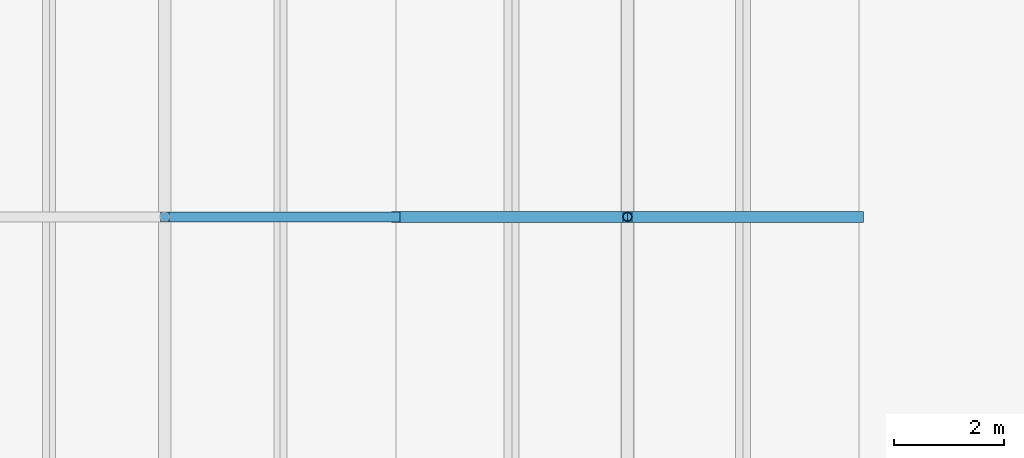
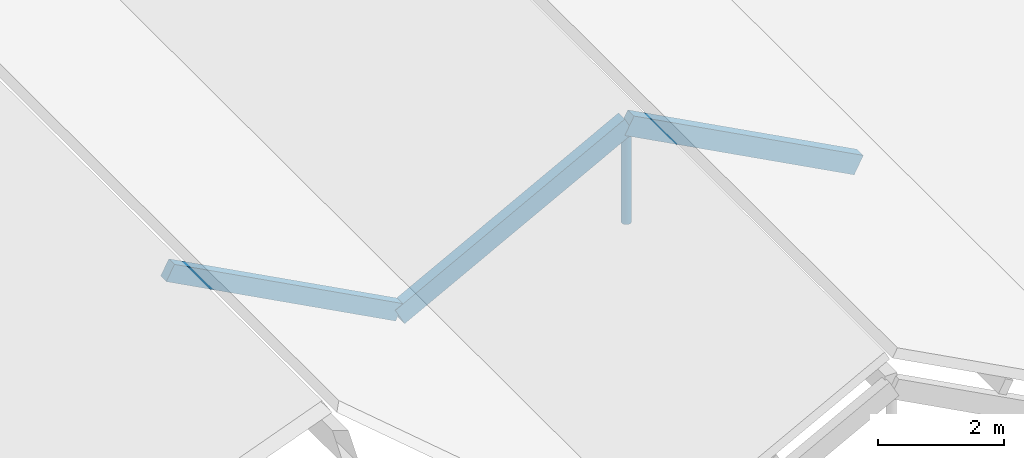
# One storey, part 60 of 82: 4 members.
"""IFC4 building model written with IfcOpenShell, lengths in metres."""

from ifc_helpers import new_model, si_unit, direction, frame, origin, origin_2d, place, context, subcontext, project, spatial, rectangle, hollow_circle, extrude, material, material_profile, profile_set, type_object, element, save


model = new_model("IFC4")

# Units and contexts
model_context = context("Model", 3, precision=1e-05, world=origin(), true_north=direction((0.0, 1.0)))
body_context = subcontext(model_context, "Body", "Model", "MODEL_VIEW")
ifc_project = project(units=[si_unit("LENGTHUNIT", "METRE"), si_unit("AREAUNIT", "SQUARE_METRE"), si_unit("VOLUMEUNIT", "CUBIC_METRE"), si_unit("PLANEANGLEUNIT", "RADIAN"), si_unit("MASSUNIT", "GRAM", prefix="KILO")], contexts=[model_context])

# Site, building, storey
site_placement = place(None, origin())
site = spatial("IfcSite", under=ifc_project, at=site_placement, CompositionType="ELEMENT")
building_placement = place(site_placement, origin())
building = spatial("IfcBuilding", under=site, at=building_placement, Name="Bramfleet General Hospital", CompositionType="ELEMENT")
storey_placement = place(building_placement, frame((0.0, 0.0, 34.199951171875)))
storey = spatial("IfcBuildingStorey", under=building, at=storey_placement, Name="Roof", CompositionType="ELEMENT", Elevation=34.199951171875)

# Members
ifc_material_1 = material(Name="Structural timber GL28h", Category="wood")
ifc_material_profile_1 = material_profile(ifc_material_1, rectangle(XDim=0.179931640625, YDim=0.320068359375, at=origin_2d()), Name="GL28h 320x180")
ifc_profile_set_1 = profile_set([ifc_material_profile_1], Name="Structural timber GL28h")
member_type_1 = type_object("IfcMemberType", Name="MEM-RF-GL320", PredefinedType="RAFTER", material=ifc_profile_set_1)
member_1_placement = place(storey_placement, frame((88.199951171875, 100.800048828125, 1.561279296875), z_axis=(0.882947536541, 0.0, -0.469471668705), x_axis=(0.0, 1.0, 0.0)))
element("IfcMember", 1, at=member_1_placement, inside=storey, type_object=member_type_1, Name="Patient House PH-02 East Glulam Rafter 1", PredefinedType="RAFTER", context=body_context, shape_type="SweptSolid", body=[
    extrude(rectangle(XDim=0.179931640625, YDim=0.320068359375, at=origin_2d()), origin(), (0.0, 0.0, 1.0), 4.7568359375),
])
ifc_material_profile_2 = material_profile(ifc_material_1, rectangle(XDim=0.199951171875, YDim=0.360107421875, at=origin_2d()), Name="GL28h 360x200")
ifc_profile_set_2 = profile_set([ifc_material_profile_2], Name="Structural timber GL28h")
member_type_2 = type_object("IfcMemberType", Name="MEM-RF-GL360", PredefinedType="RAFTER", material=ifc_profile_set_2)
for number, where, z_axis, x_axis, name in (
    (2, (92.39990234375, 100.800048828125, -0.75634765625), (0.882958848035, 0.0, 0.469450394267), (0.0, 1.0, 0.0), "Patient House PH-03 West Glulam Rafter 1"),
    (3, (96.60009765625, 100.800048828125, 1.476806640625), (0.882947536541, 0.0, -0.469471668705), (0.0, 1.0, 0.0), "Patient House PH-03 East Glulam Rafter 1"),
):
    element("IfcMember", number, at=place(storey_placement, frame(where, z_axis=z_axis, x_axis=x_axis)), inside=storey, type_object=member_type_2, Name=name, PredefinedType="RAFTER", context=body_context, shape_type="SweptSolid", body=[
        extrude(rectangle(XDim=0.199951171875, YDim=0.360107421875, at=origin_2d()), origin(), (0.0, 0.0, 1.0), 4.7568359375),
    ])
ifc_material_2 = material(Name="Steel S355", Category="steel")
ifc_material_profile_3 = material_profile(ifc_material_2, hollow_circle(Radius=0.084228515625, WallThickness=0.008056640625, at=origin_2d()), Name="CHS 168.3x8.0")
ifc_profile_set_3 = profile_set([ifc_material_profile_3], Name="Steel S355")
member_type_3 = type_object("IfcMemberType", Name="MEM-SF-DG1", PredefinedType="STRUT", material=ifc_profile_set_3)
member_2_placement = place(storey_placement, frame((96.60009765625, 100.800048828125, -0.43994140625), z_axis=(0.0, 0.0, 1.0), x_axis=(1.0, 0.0, 0.0)))
element("IfcMember", 4, at=member_2_placement, inside=storey, type_object=member_type_3, Name="Patient House PH-03 Ridge Timber Post 1", PredefinedType="STRUT", context=body_context, shape_type="SweptSolid", body=[
    extrude(hollow_circle(Radius=0.084228515625, WallThickness=0.008056640625, at=origin_2d()), origin(), (0.0, 0.0, 1.0), 1.916748046875),
])

save(model, "model.ifc")
